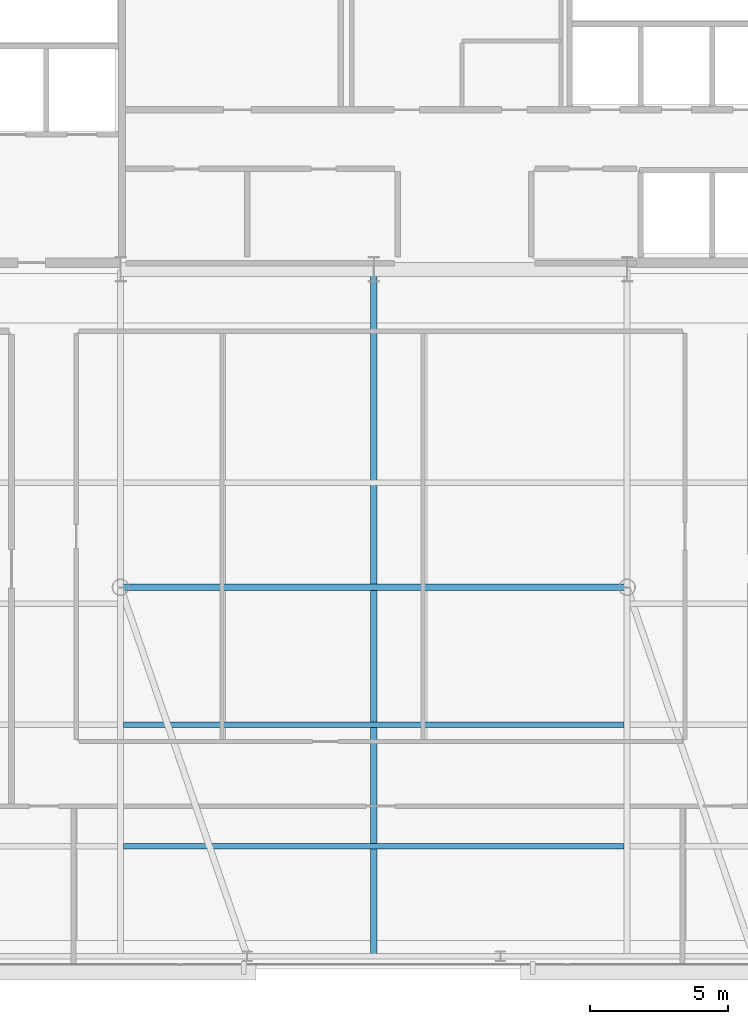
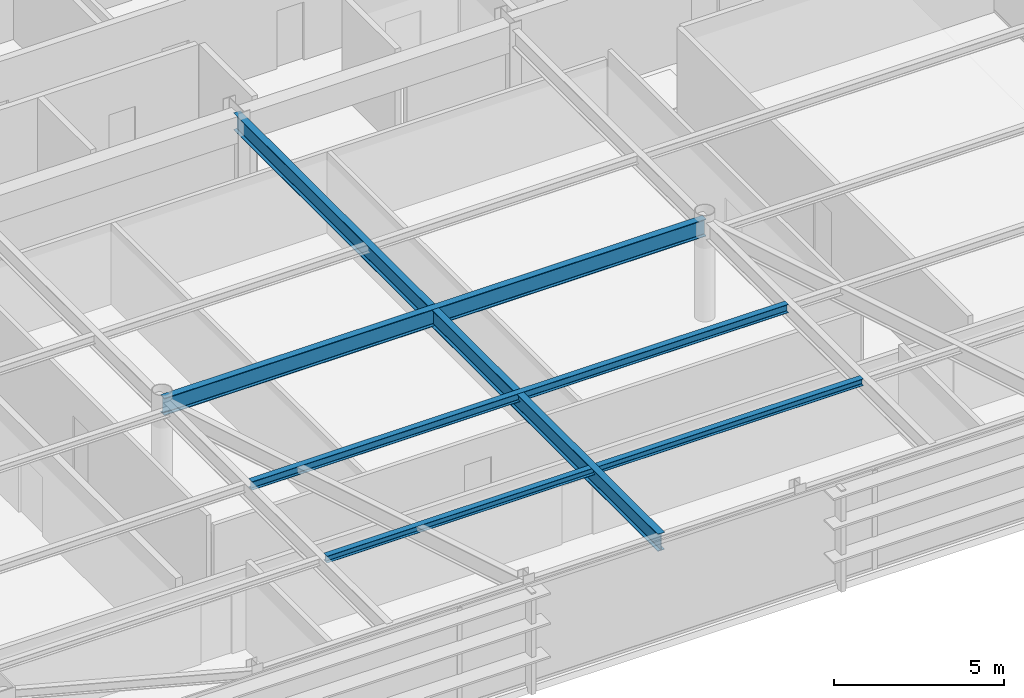
# One storey, part 8 of 25: 4 beams.
"""IFC4 building model written with IfcOpenShell, lengths in metres."""

from ifc_helpers import new_model, si_unit, direction, frame, origin, origin_2d, place, context, subcontext, project, spatial, i_section, extrude, source, transform, mapped, material, material_profile, profile_set, type_object, type_shapes, element, save


model = new_model("IFC4")

# Units and contexts
model_context = context("Model", 3, precision=1e-05, world=origin(), true_north=direction((0.0, 1.0)))
body_context = subcontext(model_context, "Body", "Model", "MODEL_VIEW")
ifc_project = project(units=[si_unit("LENGTHUNIT", "METRE"), si_unit("AREAUNIT", "SQUARE_METRE"), si_unit("VOLUMEUNIT", "CUBIC_METRE"), si_unit("PLANEANGLEUNIT", "RADIAN"), si_unit("MASSUNIT", "GRAM", prefix="KILO")], contexts=[model_context])

# Site, building, storey
site_placement = place(None, origin())
site = spatial("IfcSite", under=ifc_project, at=site_placement, CompositionType="ELEMENT")
building_placement = place(site_placement, origin())
building = spatial("IfcBuilding", under=site, at=building_placement, Name="Varnel Quay Broadcast Tower", CompositionType="ELEMENT")
storey_placement = place(building_placement, frame((0.0, 0.0, 226.39990234375)))
storey = spatial("IfcBuildingStorey", under=building, at=storey_placement, Name="L56", CompositionType="ELEMENT", Elevation=226.39990234375)

# Beams
ifc_material = material(Name="Structural Steel CSA G40.21 350W", Category="steel")
ifc_material_profile_1 = material_profile(ifc_material, i_section(OverallWidth=0.22998046875, OverallDepth=0.616943359375, WebThickness=0.01318359375, FlangeThickness=0.022216796875, FilletRadius=0.01611328125, at=origin_2d()), Name="W610X140")
ifc_profile_set_1 = profile_set([ifc_material_profile_1], Name="Structural Steel CSA G40.21 350W")
beam_type_1 = type_object("IfcBeamType", Name="Girder_W610X140", PredefinedType="BEAM", material=ifc_profile_set_1)
shared_shape_1 = source(origin(), body_context, "Body", "SweptSolid", [
    extrude(i_section(OverallWidth=0.22998046875, OverallDepth=0.616943359375, WebThickness=0.01318359375, FlangeThickness=0.022216796875, FilletRadius=0.01611328125, at=origin_2d()), origin(), (0.0, 0.0, 1.0), 18.35986328125),
])
beam_1_placement = place(storey_placement, frame((24.820068359375, 24.050048828125, 3.24169921875), z_axis=(1.0, 0.0, 0.0), x_axis=(0.0, 1.0, 0.0)))
element("IfcBeam", 1, at=beam_1_placement, inside=storey, type_object=beam_type_1, Name="L56 Interior Spine Girder", PredefinedType="BEAM", context=body_context, shape_type="MappedRepresentation", body=[
    mapped(shared_shape_1, transform((0.0, 0.0, 0.0), x_axis=(1.0, 0.0, 0.0), y_axis=(0.0, 1.0, 0.0), z_axis=(0.0, 0.0, 1.0), scale=1.0)),
])
shared_shape_2 = source(origin(), body_context, "Body", "SweptSolid", [
    extrude(i_section(OverallWidth=0.22998046875, OverallDepth=0.616943359375, WebThickness=0.01318359375, FlangeThickness=0.022216796875, FilletRadius=0.01611328125, at=origin_2d()), origin(), (0.0, 0.0, 1.0), 24.91015625),
])
type_shapes(beam_type_1, [shared_shape_1, shared_shape_2])
beam_2_placement = place(storey_placement, frame((34.0, 10.669921875, 3.24169921875), z_axis=(0.0, 1.0, 0.0), x_axis=(-1.0, 0.0, 0.0)))
element("IfcBeam", 2, at=beam_2_placement, inside=storey, type_object=beam_type_1, Name="L56 Central Bay Girder", PredefinedType="BEAM", context=body_context, shape_type="MappedRepresentation", body=[
    mapped(shared_shape_2, transform((0.0, 0.0, 0.0), x_axis=(1.0, 0.0, 0.0), y_axis=(0.0, 1.0, 0.0), z_axis=(0.0, 0.0, 1.0), scale=1.0)),
])
ifc_material_profile_2 = material_profile(ifc_material, i_section(OverallWidth=0.201904296875, OverallDepth=0.2470703125, WebThickness=0.00732421875, FlangeThickness=0.010986328125, FilletRadius=0.010986328125, at=origin_2d()), Name="W250X49")
ifc_profile_set_2 = profile_set([ifc_material_profile_2], Name="Structural Steel CSA G40.21 350W")
beam_type_2 = type_object("IfcBeamType", Name="Beam_W250X49", PredefinedType="JOIST", material=ifc_profile_set_2)
shared_shape_3 = source(origin(), body_context, "Body", "SweptSolid", [
    extrude(i_section(OverallWidth=0.201904296875, OverallDepth=0.2470703125, WebThickness=0.00732421875, FlangeThickness=0.010986328125, FilletRadius=0.010986328125, at=origin_2d()), origin(), (0.0, 0.0, 1.0), 18.18017578125),
])
type_shapes(beam_type_2, [shared_shape_3])
beam_3_placement = place(storey_placement, frame((24.909912109375, 14.64990234375, 3.426513671875), z_axis=(1.0, 0.0, 0.0), x_axis=(0.0, 1.0, 0.0)))
element("IfcBeam", 3, at=beam_3_placement, inside=storey, type_object=beam_type_2, Name="L56 Central Floor Joist 1", PredefinedType="JOIST", context=body_context, shape_type="MappedRepresentation", body=[
    mapped(shared_shape_3, transform((0.0, 0.0, 0.0), x_axis=(1.0, 0.0, 0.0), y_axis=(0.0, 1.0, 0.0), z_axis=(0.0, 0.0, 1.0), scale=1.0)),
])
ifc_material_profile_3 = material_profile(ifc_material, i_section(OverallWidth=0.202880859375, OverallDepth=0.302978515625, WebThickness=0.007568359375, FlangeThickness=0.01318359375, FilletRadius=0.011962890625, at=origin_2d()), Name="W310X60")
ifc_profile_set_3 = profile_set([ifc_material_profile_3], Name="Structural Steel CSA G40.21 350W")
beam_type_3 = type_object("IfcBeamType", Name="Beam_W310X60", PredefinedType="JOIST", material=ifc_profile_set_3)
shared_shape_4 = source(origin(), body_context, "Body", "SweptSolid", [
    extrude(i_section(OverallWidth=0.202880859375, OverallDepth=0.302978515625, WebThickness=0.007568359375, FlangeThickness=0.01318359375, FilletRadius=0.011962890625, at=origin_2d()), origin(), (0.0, 0.0, 1.0), 18.18017578125),
])
type_shapes(beam_type_3, [shared_shape_4])
beam_4_placement = place(storey_placement, frame((24.909912109375, 19.050048828125, 3.398681640625), z_axis=(1.0, 0.0, 0.0), x_axis=(0.0, 1.0, 0.0)))
element("IfcBeam", 4, at=beam_4_placement, inside=storey, type_object=beam_type_3, Name="L56 Central Floor Joist 2", PredefinedType="JOIST", context=body_context, shape_type="MappedRepresentation", body=[
    mapped(shared_shape_4, transform((0.0, 0.0, 0.0), x_axis=(1.0, 0.0, 0.0), y_axis=(0.0, 1.0, 0.0), z_axis=(0.0, 0.0, 1.0), scale=1.0)),
])

save(model, "model.ifc")
